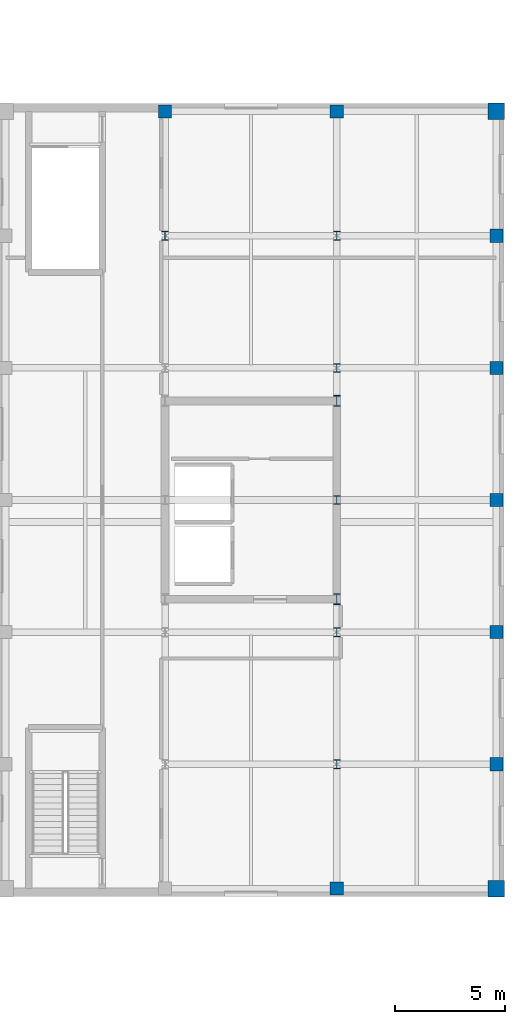
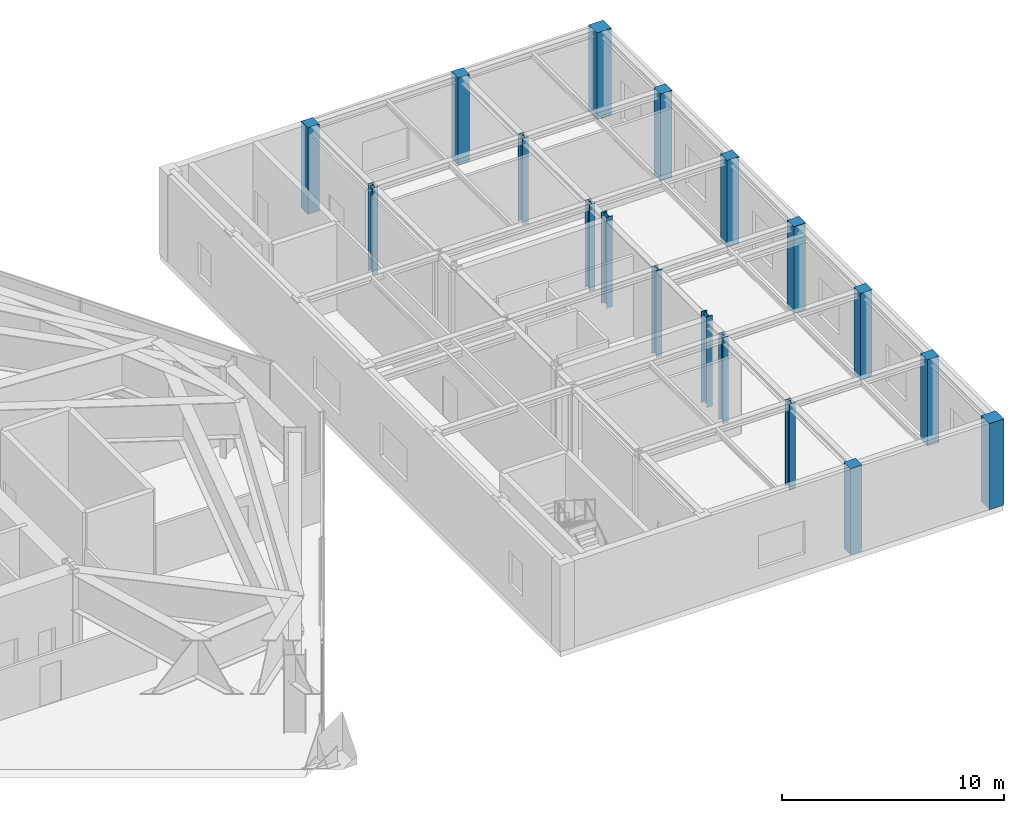
# One storey, part 4 of 16: 18 columns.
"""IFC4 building model written with IfcOpenShell, lengths in metres."""

import ifcopenshell
import ifcopenshell.guid

model = None  # the IFC model being written
_history = None  # IfcOwnerHistory: only IFC2X3 demands one
_inside = {}  # id of a spatial element -> (the spatial element, [elements in it])
_under = {}  # id of a project, library or spatial element -> (it, [spatial elements below it])
_declared = {}  # id of a project -> (the project, [libraries it declares])
_typed = {}  # id of a type object -> (the type object, [elements of that type])
_made_of = {}  # id of a material, layer set ... -> (it, [elements and type objects made of it])


def new_model(schema):
    """Start an empty IFC model of exactly this schema.

    Asked for "IFC4X3", IfcOpenShell would pick the latest addendum, in which some entities
    have other attributes; the version numbers below select the first issue.
    IFC2X3 requires an IfcOwnerHistory on every rooted entity: one is made here for all.
    """
    global model, _history
    if schema == "IFC4X3":
        model = ifcopenshell.file(schema_version=(4, 3, 0, 0))
    else:
        model = ifcopenshell.file(schema=schema)
    _inside.clear()
    _under.clear()
    _declared.clear()
    _typed.clear()
    _made_of.clear()
    _history = None
    if model.schema == "IFC2X3":
        org = make("IfcOrganization", Name="unknown")
        user = make(
            "IfcPersonAndOrganization",
            ThePerson=make("IfcPerson", FamilyName="unknown"),
            TheOrganization=org,
        )
        app = make(
            "IfcApplication",
            ApplicationDeveloper=org,
            Version="unknown",
            ApplicationFullName="unknown",
            ApplicationIdentifier="unknown",
        )
        _history = make(
            "IfcOwnerHistory",
            OwningUser=user,
            OwningApplication=app,
            ChangeAction="ADDED",
            CreationDate=0,
        )
    return model


def make(cls, **values):
    """One entity of the class cls with the attributes given. An attribute that is None is left unset."""
    return model.create_entity(
        cls, **{name: value for name, value in values.items() if value is not None}
    )


def rooted(cls, **values):
    """An entity with a GlobalId (a new one), such as an element, a storey or a relation."""
    return make(cls, GlobalId=ifcopenshell.guid.new(), OwnerHistory=_history, **values)


def si_unit(unit_type, name, prefix=None):
    """IfcSIUnit, for example si_unit("LENGTHUNIT", "METRE", prefix="MILLI")."""
    return make("IfcSIUnit", UnitType=unit_type, Prefix=prefix, Name=name)


def assignment(units):
    """IfcUnitAssignment: the units of a project."""
    return None if units is None else make("IfcUnitAssignment", Units=units)


def point(xyz):
    """IfcCartesianPoint."""
    return None if xyz is None else make("IfcCartesianPoint", Coordinates=xyz)


def direction(xyz):
    """IfcDirection."""
    return None if xyz is None else make("IfcDirection", DirectionRatios=xyz)


def frame(location, z_axis=None, x_axis=None):
    """IfcAxis2Placement3D, a coordinate frame: its origin and axes. An axis left out is left unset."""
    return make(
        "IfcAxis2Placement3D",
        Location=point(location),
        Axis=direction(z_axis),
        RefDirection=direction(x_axis),
    )


def frame_2d(location, x_axis=None):
    """IfcAxis2Placement2D, a coordinate frame in the plane: its origin and x axis."""
    return make(
        "IfcAxis2Placement2D", Location=point(location), RefDirection=direction(x_axis)
    )


def origin():
    """The frame at (0, 0, 0) with its axes left unset."""
    return frame((0.0, 0.0, 0.0))


def origin_2d():
    """The frame at (0, 0) in the plane with its x axis left unset."""
    return frame_2d((0.0, 0.0))


def place(relative_to, where):
    """IfcLocalPlacement: puts the frame where relative to a parent placement (None: the world)."""
    return make(
        "IfcLocalPlacement", PlacementRelTo=relative_to, RelativePlacement=where
    )


def context(
    kind, dimensions, precision=None, world=None, true_north=None, identifier=None
):
    """IfcGeometricRepresentationContext, for example the 3D "Model" context."""
    return make(
        "IfcGeometricRepresentationContext",
        ContextIdentifier=identifier,
        ContextType=kind,
        CoordinateSpaceDimension=dimensions,
        Precision=precision,
        WorldCoordinateSystem=world,
        TrueNorth=true_north,
    )


def subcontext(parent, identifier, kind, view, scale=None):
    """IfcGeometricRepresentationSubContext, for example "Body" below "Model"."""
    return make(
        "IfcGeometricRepresentationSubContext",
        ContextIdentifier=identifier,
        ContextType=kind,
        ParentContext=parent,
        TargetScale=scale,
        TargetView=view,
    )


def project(units=None, contexts=None):
    """IfcProject with its units and contexts."""
    return rooted(
        "IfcProject",
        Name="project",
        RepresentationContexts=contexts,
        UnitsInContext=assignment(units),
    )


def spatial(cls, under=None, at=None, **own):
    """A site, building, storey or space (cls), placed at a placement, below another one or the project."""
    s = rooted(cls, ObjectPlacement=at, **own)
    if under is not None:
        _under.setdefault(under.id(), (under, []))[1].append(s)
    return s


def profile(cls, at=None, kind="AREA", **sizes):
    """A parametric profile (cls). Its sizes go by their IFC names, for example OverallWidth=200.0."""
    return make(cls, ProfileType=kind, Position=at, **sizes)


def rectangle(**sizes):
    """IfcRectangleProfileDef."""
    return profile("IfcRectangleProfileDef", **sizes)


def i_section(**sizes):
    """IfcIShapeProfileDef."""
    return profile("IfcIShapeProfileDef", **sizes)


def extrude(swept, where, along, depth):
    """IfcExtrudedAreaSolid: the profile swept, set in the frame where, extruded along a direction by depth."""
    return make(
        "IfcExtrudedAreaSolid",
        SweptArea=swept,
        Position=where,
        ExtrudedDirection=direction(along),
        Depth=depth,
    )


def shape(context_of_items, identifier, shape_type, items):
    """IfcShapeRepresentation: the items that make up one representation, for example the "Body"."""
    return make(
        "IfcShapeRepresentation",
        ContextOfItems=context_of_items,
        RepresentationIdentifier=identifier,
        RepresentationType=shape_type,
        Items=items,
    )


def material(Name=None, Category=None):
    """IfcMaterial."""
    return make("IfcMaterial", Name=Name, Category=Category)


def material_profile(
    of_material, cross_section, Name=None, Category=None, Priority=None
):
    """IfcMaterialProfile: a cross section and its material."""
    return make(
        "IfcMaterialProfile",
        Name=Name,
        Material=of_material,
        Profile=cross_section,
        Priority=Priority,
        Category=Category,
    )


def profile_set(profiles, Name=None, composite=None):
    """IfcMaterialProfileSet."""
    return make(
        "IfcMaterialProfileSet",
        Name=Name,
        MaterialProfiles=profiles,
        CompositeProfile=composite,
    )


def made_of(thing, what):
    """Note that an element or type object is made of a material, layer set ...; save() writes the relation."""
    if what is not None:
        _made_of.setdefault(what.id(), (what, []))[1].append(thing)
    return thing


def type_object(cls, material=None, **own):
    """A type object (cls), such as IfcWallType, which elements share."""
    return made_of(rooted(cls, **own), material)


def element(
    cls,
    number,
    at=None,
    inside=None,
    cuts=None,
    type_object=None,
    material=None,
    context=None,
    identifier="Body",
    shape_type=None,
    held_by="IfcProductDefinitionShape",
    body=None,
    shapes=None,
    **own,
):
    """One element of the class cls, such as IfcWall. Its Tag is "e" and its number.

    at: its placement. inside: the storey or other place that contains it. cuts: it is an
    opening in that element (IfcRelVoidsElement). A single representation is given by context,
    identifier, shape_type and body (its items); several are given by shapes. held_by: the class
    of the entity that holds the representations. save() writes the other relations.
    """
    e = rooted(cls, Tag="e%d" % number, ObjectPlacement=at, **own)
    if body is not None:
        shapes = [shape(context, identifier, shape_type, body)]
    if shapes is not None:
        e.Representation = make(held_by, Representations=shapes)
    if inside is not None:
        _inside.setdefault(inside.id(), (inside, []))[1].append(e)
    if cuts is not None:
        rooted(
            "IfcRelVoidsElement", RelatingBuildingElement=cuts, RelatedOpeningElement=e
        )
    if type_object is not None:
        _typed.setdefault(type_object.id(), (type_object, []))[1].append(e)
    return made_of(e, material)


def aggregate(whole, parts):
    """IfcRelAggregates: a whole, such as a stair, and the parts it consists of."""
    return rooted("IfcRelAggregates", RelatingObject=whole, RelatedObjects=parts)


def save(model, path):
    """Write the relations noted so far, then the file.

    IfcRelAggregates (storeys below a building ...), IfcRelContainedInSpatialStructure (elements
    in a storey), IfcRelDefinesByType, IfcRelAssociatesMaterial and IfcRelDeclares: one each for
    every whole, place, type object, material and project.
    """
    for whole, parts in _under.values():
        aggregate(whole, parts)
    for where, things in _inside.values():
        rooted(
            "IfcRelContainedInSpatialStructure",
            RelatedElements=things,
            RelatingStructure=where,
        )
    for kind, things in _typed.values():
        rooted("IfcRelDefinesByType", RelatedObjects=things, RelatingType=kind)
    for what, things in _made_of.values():
        rooted("IfcRelAssociatesMaterial", RelatedObjects=things, RelatingMaterial=what)
    for by, libraries in _declared.values():
        rooted("IfcRelDeclares", RelatingContext=by, RelatedDefinitions=libraries)
    model.write(path)


model = new_model("IFC4")

# Units and contexts
model_context = context("Model", 3, precision=1e-05, world=origin(), true_north=direction((0.0, 1.0)))
body_context = subcontext(model_context, "Body", "Model", "MODEL_VIEW")
ifc_project = project(units=[si_unit("LENGTHUNIT", "METRE"), si_unit("AREAUNIT", "SQUARE_METRE"), si_unit("VOLUMEUNIT", "CUBIC_METRE"), si_unit("PLANEANGLEUNIT", "RADIAN"), si_unit("MASSUNIT", "GRAM", prefix="KILO")], contexts=[model_context])

# Site, building, storey
site_placement = place(None, origin())
site = spatial("IfcSite", under=ifc_project, at=site_placement, CompositionType="ELEMENT")
building_placement = place(site_placement, origin())
building = spatial("IfcBuilding", under=site, at=building_placement, Name="Kranzbogen Civic Tower", CompositionType="ELEMENT")
storey_placement = place(building_placement, frame((0.0, 0.0, 19.0)))
storey = spatial("IfcBuildingStorey", under=building, at=storey_placement, Name="L04", CompositionType="ELEMENT", Elevation=19.0)

# Columns
ifc_material_1 = material(Name="Steel S355", Category="steel")
ifc_material_profile_1 = material_profile(ifc_material_1, i_section(OverallWidth=0.300048828125, OverallDepth=0.39990234375, WebThickness=0.013427734375, FlangeThickness=0.02392578125, at=origin_2d()), Name="HEB 400")
ifc_profile_set_1 = profile_set([ifc_material_profile_1], Name="Steel S355")
column_type_1 = type_object("IfcColumnType", Name="Structural Column HEB 400", PredefinedType="COLUMN", material=ifc_profile_set_1)
column_1_placement = place(storey_placement, frame((59.60009765625, 37.0, 0.0), z_axis=(0.0, 0.0, 1.0), x_axis=(1.0, 0.0, 0.0)))
element("IfcColumn", 1, at=column_1_placement, inside=storey, type_object=column_type_1, Name="L04 Health Centre column 11/G", PredefinedType="COLUMN", context=body_context, shape_type="SweptSolid", body=[
    extrude(i_section(OverallWidth=0.300048828125, OverallDepth=0.39990234375, WebThickness=0.013427734375, FlangeThickness=0.02392578125, at=origin_2d()), origin(), (0.0, 0.0, 1.0), 4.77001953125),
])
for number, where, z_axis, x_axis, name in (
    (2, (67.39990234375, 13.0, 0.0), (0.0, 0.0, 1.0), (1.0, 0.0, 0.0), "L04 Health Centre column 12/C"),
    (3, (67.39990234375, 19.0, 0.0), (0.0, 0.0, 1.0), (1.0, 0.0, 0.0), "L04 Health Centre column 12/D"),
):
    element("IfcColumn", number, at=place(storey_placement, frame(where, z_axis=z_axis, x_axis=x_axis)), inside=storey, type_object=column_type_1, Name=name, PredefinedType="COLUMN", context=body_context, shape_type="SweptSolid", body=[
        extrude(i_section(OverallWidth=0.300048828125, OverallDepth=0.39990234375, WebThickness=0.013427734375, FlangeThickness=0.02392578125, at=origin_2d()), origin(), (0.0, 0.0, 1.0), 4.72998046875),
    ])
for number, where, z_axis, x_axis, name in (
    (4, (67.39990234375, 25.0, 0.0), (0.0, 0.0, 1.0), (1.0, 0.0, 0.0), "L04 Health Centre column 12/E"),
    (5, (67.39990234375, 31.0, 0.0), (0.0, 0.0, 1.0), (1.0, 0.0, 0.0), "L04 Health Centre column 12/F"),
    (6, (67.39990234375, 37.0, 0.0), (0.0, 0.0, 1.0), (1.0, 0.0, 0.0), "L04 Health Centre column 12/G"),
):
    element("IfcColumn", number, at=place(storey_placement, frame(where, z_axis=z_axis, x_axis=x_axis)), inside=storey, type_object=column_type_1, Name=name, PredefinedType="COLUMN", context=body_context, shape_type="SweptSolid", body=[
        extrude(i_section(OverallWidth=0.300048828125, OverallDepth=0.39990234375, WebThickness=0.013427734375, FlangeThickness=0.02392578125, at=origin_2d()), origin(), (0.0, 0.0, 1.0), 4.77001953125),
    ])
ifc_material_profile_2 = material_profile(ifc_material_1, i_section(OverallWidth=0.300048828125, OverallDepth=0.5, WebThickness=0.014404296875, FlangeThickness=0.028076171875, at=origin_2d()), Name="HEB 500")
ifc_profile_set_2 = profile_set([ifc_material_profile_2], Name="Steel S355")
column_type_2 = type_object("IfcColumnType", Name="Structural Column HEB 500", PredefinedType="COLUMN", material=ifc_profile_set_2)
for number, where, z_axis, x_axis, name in (
    (7, (67.39990234375, 20.5, 0.0), (0.0, 0.0, 1.0), (1.0, 0.0, 0.0), "L04 Health Centre core corner column 2"),
    (8, (67.39990234375, 29.5, 0.0), (0.0, 0.0, 1.0), (1.0, 0.0, 0.0), "L04 Health Centre core corner column 3"),
):
    element("IfcColumn", number, at=place(storey_placement, frame(where, z_axis=z_axis, x_axis=x_axis)), inside=storey, type_object=column_type_2, Name=name, PredefinedType="COLUMN", context=body_context, shape_type="SweptSolid", body=[
        extrude(i_section(OverallWidth=0.300048828125, OverallDepth=0.5, WebThickness=0.014404296875, FlangeThickness=0.028076171875, at=origin_2d()), origin(), (0.0, 0.0, 1.0), 5.0),
    ])
ifc_material_2 = material(Name="Concrete C40/50", Category="concrete")
ifc_material_profile_3 = material_profile(ifc_material_2, rectangle(XDim=0.60009765625, YDim=0.60009765625, at=origin_2d()), Name="RC 600x600")
ifc_profile_set_3 = profile_set([ifc_material_profile_3], Name="Concrete C40/50")
column_type_3 = type_object("IfcColumnType", Name="Structural Column RC 600x600", PredefinedType="COLUMN", material=ifc_profile_set_3)
column_2_placement = place(storey_placement, frame((59.60009765625, 42.64990234375, 0.0), z_axis=(0.0, 0.0, 1.0), x_axis=(1.0, 0.0, 0.0)))
element("IfcColumn", 9, at=column_2_placement, inside=storey, type_object=column_type_3, Name="L04 Health Centre column 11/H", PredefinedType="COLUMN", context=body_context, shape_type="SweptSolid", body=[
    extrude(rectangle(XDim=0.60009765625, YDim=0.60009765625, at=origin_2d()), origin(), (0.0, 0.0, 1.0), 4.77001953125),
])
column_3_placement = place(storey_placement, frame((67.39990234375, 7.35009765625, 0.0), z_axis=(0.0, 0.0, 1.0), x_axis=(1.0, 0.0, 0.0)))
element("IfcColumn", 10, at=column_3_placement, inside=storey, type_object=column_type_3, Name="L04 Health Centre column 12/B", PredefinedType="COLUMN", context=body_context, shape_type="SweptSolid", body=[
    extrude(rectangle(XDim=0.60009765625, YDim=0.60009765625, at=origin_2d()), origin(), (0.0, 0.0, 1.0), 4.72998046875),
])
column_4_placement = place(storey_placement, frame((67.39990234375, 42.64990234375, 0.0), z_axis=(0.0, 0.0, 1.0), x_axis=(1.0, 0.0, 0.0)))
element("IfcColumn", 11, at=column_4_placement, inside=storey, type_object=column_type_3, Name="L04 Health Centre column 12/H", PredefinedType="COLUMN", context=body_context, shape_type="SweptSolid", body=[
    extrude(rectangle(XDim=0.60009765625, YDim=0.60009765625, at=origin_2d()), origin(), (0.0, 0.0, 1.0), 4.77001953125),
])
for number, where, z_axis, x_axis, name in (
    (12, (74.64990234375, 13.0, 0.0), (0.0, 0.0, 1.0), (1.0, 0.0, 0.0), "L04 Health Centre column 13/C"),
    (13, (74.64990234375, 19.0, 0.0), (0.0, 0.0, 1.0), (1.0, 0.0, 0.0), "L04 Health Centre column 13/D"),
):
    element("IfcColumn", number, at=place(storey_placement, frame(where, z_axis=z_axis, x_axis=x_axis)), inside=storey, type_object=column_type_3, Name=name, PredefinedType="COLUMN", context=body_context, shape_type="SweptSolid", body=[
        extrude(rectangle(XDim=0.60009765625, YDim=0.60009765625, at=origin_2d()), origin(), (0.0, 0.0, 1.0), 4.72998046875),
    ])
for number, where, z_axis, x_axis, name in (
    (14, (74.64990234375, 25.0, 0.0), (0.0, 0.0, 1.0), (1.0, 0.0, 0.0), "L04 Health Centre column 13/E"),
    (15, (74.64990234375, 31.0, 0.0), (0.0, 0.0, 1.0), (1.0, 0.0, 0.0), "L04 Health Centre column 13/F"),
    (16, (74.64990234375, 37.0, 0.0), (0.0, 0.0, 1.0), (1.0, 0.0, 0.0), "L04 Health Centre column 13/G"),
):
    element("IfcColumn", number, at=place(storey_placement, frame(where, z_axis=z_axis, x_axis=x_axis)), inside=storey, type_object=column_type_3, Name=name, PredefinedType="COLUMN", context=body_context, shape_type="SweptSolid", body=[
        extrude(rectangle(XDim=0.60009765625, YDim=0.60009765625, at=origin_2d()), origin(), (0.0, 0.0, 1.0), 4.77001953125),
    ])
ifc_material_profile_4 = material_profile(ifc_material_2, rectangle(XDim=0.75, YDim=0.75, at=origin_2d()), Name="RC 750x750")
ifc_profile_set_4 = profile_set([ifc_material_profile_4], Name="Concrete C40/50")
column_type_4 = type_object("IfcColumnType", Name="Structural Column RC 750x750", PredefinedType="COLUMN", material=ifc_profile_set_4)
column_5_placement = place(storey_placement, frame((74.64990234375, 7.35009765625, 0.0), z_axis=(0.0, 0.0, 1.0), x_axis=(1.0, 0.0, 0.0)))
element("IfcColumn", 17, at=column_5_placement, inside=storey, type_object=column_type_4, Name="L04 Health Centre column 13/B", PredefinedType="COLUMN", context=body_context, shape_type="SweptSolid", body=[
    extrude(rectangle(XDim=0.75, YDim=0.75, at=origin_2d()), origin(), (0.0, 0.0, 1.0), 4.72998046875),
])
column_6_placement = place(storey_placement, frame((74.64990234375, 42.64990234375, 0.0), z_axis=(0.0, 0.0, 1.0), x_axis=(1.0, 0.0, 0.0)))
element("IfcColumn", 18, at=column_6_placement, inside=storey, type_object=column_type_4, Name="L04 Health Centre column 13/H", PredefinedType="COLUMN", context=body_context, shape_type="SweptSolid", body=[
    extrude(rectangle(XDim=0.75, YDim=0.75, at=origin_2d()), origin(), (0.0, 0.0, 1.0), 4.77001953125),
])

save(model, "model.ifc")
